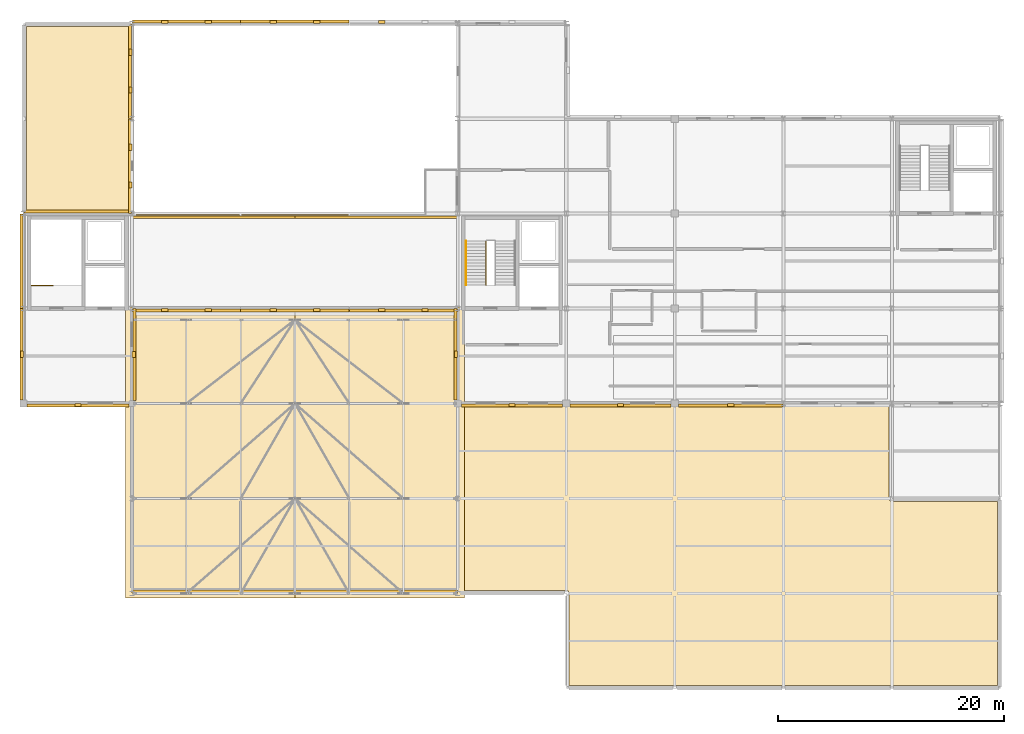
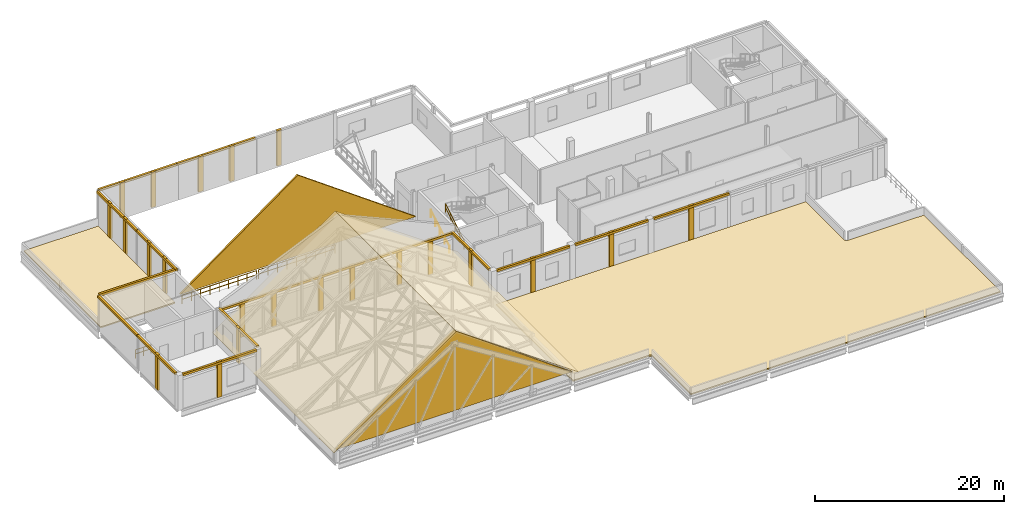
# One storey, part 25 of 26: 44 coverings, 5 railings.
"""IFC4 building model written with IfcOpenShell, lengths in metres."""

from ifc_helpers import new_model, si_unit, direction, frame, origin, origin_2d, place, context, subcontext, project, spatial, polyline, circle, outline, extrude, material, layer, layer_set, type_object, element, save


model = new_model("IFC4")

# Units and contexts
model_context = context("Model", 3, precision=1e-05, world=origin(), true_north=direction((0.0, 1.0)))
body_context = subcontext(model_context, "Body", "Model", "MODEL_VIEW")
ifc_project = project(units=[si_unit("LENGTHUNIT", "METRE"), si_unit("AREAUNIT", "SQUARE_METRE"), si_unit("VOLUMEUNIT", "CUBIC_METRE"), si_unit("PLANEANGLEUNIT", "RADIAN"), si_unit("MASSUNIT", "GRAM", prefix="KILO")], contexts=[model_context])

# Site, building, storey
site_placement = place(None, origin())
site = spatial("IfcSite", under=ifc_project, at=site_placement, CompositionType="ELEMENT")
building_placement = place(site_placement, origin())
building = spatial("IfcBuilding", under=site, at=building_placement, Name="Lornevale Opera House", CompositionType="ELEMENT")
storey_placement = place(building_placement, frame((0.0, 0.0, 19.800048828125)))
storey = spatial("IfcBuildingStorey", under=building, at=storey_placement, Name="L05", CompositionType="ELEMENT", Elevation=19.800048828125)

# Railings
ifc_material_1 = material(Name="Structural Steel CSA G40.21 Grade 350W (350 MPa)", Category="steel")
ifc_layer_1 = layer(ifc_material_1, 0.06005859375)
ifc_layer_set_1 = layer_set([ifc_layer_1], Name="Structural Steel CSA G40.21 Grade 350W (350 MPa)")
railing_type_1 = type_object("IfcRailingType", Name="Atrium Acoustic Balustrade 1120", PredefinedType="BALUSTRADE", material=ifc_layer_set_1)
railing_1_placement = place(storey_placement, frame((67.580078125, 67.06005859375, 0.0)))
element("IfcRailing", 1, at=railing_1_placement, inside=storey, type_object=railing_type_1, Name="Atrium & Bowl Balustrade L05 0385", PredefinedType="BALUSTRADE", context=body_context, shape_type="SweptSolid", body=[
    extrude(circle(Radius=0.02392578125, at=origin_2d()), frame((0.0, 0.0, 1.09619140625), z_axis=(1.0, 0.0, 0.0), x_axis=(0.0, 1.0, 0.0)), (0.0, 0.0, 1.0), 9.099853515625),
    extrude(circle(Radius=0.02392578125, at=origin_2d()), frame((0.0, 0.0, 0.56005859375), z_axis=(1.0, 0.0, 0.0), x_axis=(0.0, 1.0, 0.0)), (0.0, 0.0, 1.0), 9.099853515625),
    extrude(circle(Radius=0.02099609375, at=origin_2d()), origin(), (0.0, 0.0, 1.0), 1.072021484375),
    extrude(circle(Radius=0.02099609375, at=origin_2d()), frame((1.137451171875, 0.0, 0.0)), (0.0, 0.0, 1.0), 1.072021484375),
    extrude(circle(Radius=0.02099609375, at=origin_2d()), frame((2.27490234375, 0.0, 0.0)), (0.0, 0.0, 1.0), 1.072021484375),
    extrude(circle(Radius=0.02099609375, at=origin_2d()), frame((3.412353515625, 0.0, 0.0)), (0.0, 0.0, 1.0), 1.072021484375),
    extrude(circle(Radius=0.02099609375, at=origin_2d()), frame((4.5498046875, 0.0, 0.0)), (0.0, 0.0, 1.0), 1.072021484375),
    extrude(circle(Radius=0.02099609375, at=origin_2d()), frame((5.6875, 0.0, 0.0)), (0.0, 0.0, 1.0), 1.072021484375),
    extrude(circle(Radius=0.02099609375, at=origin_2d()), frame((6.824951171875, 0.0, 0.0)), (0.0, 0.0, 1.0), 1.072021484375),
    extrude(circle(Radius=0.02099609375, at=origin_2d()), frame((7.96240234375, 0.0, 0.0)), (0.0, 0.0, 1.0), 1.072021484375),
    extrude(circle(Radius=0.02099609375, at=origin_2d()), frame((9.099853515625, 0.0, 0.0)), (0.0, 0.0, 1.0), 1.072021484375),
])
railing_2_placement = place(storey_placement, frame((76.919921875, 67.06005859375, 0.0)))
element("IfcRailing", 2, at=railing_2_placement, inside=storey, type_object=railing_type_1, Name="Atrium & Bowl Balustrade L05 0386", PredefinedType="BALUSTRADE", context=body_context, shape_type="SweptSolid", body=[
    extrude(circle(Radius=0.02392578125, at=origin_2d()), frame((0.0, 0.0, 1.09619140625), z_axis=(1.0, 0.0, 0.0), x_axis=(0.0, 1.0, 0.0)), (0.0, 0.0, 1.0), 9.360107421875),
    extrude(circle(Radius=0.02392578125, at=origin_2d()), frame((0.0, 0.0, 0.56005859375), z_axis=(1.0, 0.0, 0.0), x_axis=(0.0, 1.0, 0.0)), (0.0, 0.0, 1.0), 9.360107421875),
    extrude(circle(Radius=0.02099609375, at=origin_2d()), origin(), (0.0, 0.0, 1.0), 1.072021484375),
    extrude(circle(Radius=0.02099609375, at=origin_2d()), frame((1.169921875, 0.0, 0.0)), (0.0, 0.0, 1.0), 1.072021484375),
    extrude(circle(Radius=0.02099609375, at=origin_2d()), frame((2.340087890625, 0.0, 0.0)), (0.0, 0.0, 1.0), 1.072021484375),
    extrude(circle(Radius=0.02099609375, at=origin_2d()), frame((3.510009765625, 0.0, 0.0)), (0.0, 0.0, 1.0), 1.072021484375),
    extrude(circle(Radius=0.02099609375, at=origin_2d()), frame((4.68017578125, 0.0, 0.0)), (0.0, 0.0, 1.0), 1.072021484375),
    extrude(circle(Radius=0.02099609375, at=origin_2d()), frame((5.85009765625, 0.0, 0.0)), (0.0, 0.0, 1.0), 1.072021484375),
    extrude(circle(Radius=0.02099609375, at=origin_2d()), frame((7.02001953125, 0.0, 0.0)), (0.0, 0.0, 1.0), 1.072021484375),
    extrude(circle(Radius=0.02099609375, at=origin_2d()), frame((8.190185546875, 0.0, 0.0)), (0.0, 0.0, 1.0), 1.072021484375),
    extrude(circle(Radius=0.02099609375, at=origin_2d()), frame((9.360107421875, 0.0, 0.0)), (0.0, 0.0, 1.0), 1.072021484375),
])

# Coverings
ifc_material_2 = material(Name="Vegetated Extensive Green Roof Assembly")
ifc_layer_2 = layer(ifc_material_2, 0.159912109375)
ifc_layer_set_2 = layer_set([ifc_layer_2], Name="Vegetated Extensive Green Roof Assembly")
covering_type_1 = type_object("IfcCoveringType", Name="Chapter 492 Green Roof Covering", PredefinedType="ROOFING", material=ifc_layer_set_2)
covering_1_placement = place(storey_placement, origin())
element("IfcCovering", 3, at=covering_1_placement, inside=storey, type_object=covering_type_1, Name="Chapter 492 Green Roof Covering 0569", PredefinedType="ROOFING", context=body_context, shape_type="SweptSolid", body=[
    extrude(outline(polyline([(105.860107421875, 33.60009765625), (105.85888671875, 33.625), (105.85498046875, 33.65087890625), (105.84912109375, 33.675048828125), (105.840087890625, 33.698974609375), (105.8291015625, 33.722900390625), (105.81591796875, 33.743896484375), (105.801025390625, 33.764892578125), (105.783935546875, 33.783935546875), (105.764892578125, 33.801025390625), (105.743896484375, 33.81591796875), (105.722900390625, 33.8291015625), (105.698974609375, 33.840087890625), (105.675048828125, 33.84912109375), (105.65087890625, 33.85498046875), (105.625, 33.85888671875), (105.60009765625, 33.860107421875), (96.260009765625, 33.860107421875), (96.260009765625, 50.139892578125), (134.139892578125, 50.139892578125), (134.139892578125, 42.0), (134.14111328125, 41.97509765625), (134.14501953125, 41.948974609375), (134.15087890625, 41.925048828125), (134.159912109375, 41.90087890625), (134.1708984375, 41.876953125), (134.18408203125, 41.85595703125), (134.198974609375, 41.8349609375), (134.216064453125, 41.81591796875), (134.235107421875, 41.799072265625), (134.256103515625, 41.783935546875), (134.277099609375, 41.77099609375), (134.301025390625, 41.760009765625), (134.324951171875, 41.7509765625), (134.34912109375, 41.7451171875), (134.375, 41.740966796875), (134.39990234375, 41.739990234375), (143.739990234375, 41.739990234375), (143.739990234375, 25.4599609375), (105.860107421875, 25.4599609375), (105.860107421875, 33.60009765625)])), origin(), (0.0, 0.0, 1.0), 0.159912109375),
])
covering_2_placement = place(storey_placement, origin())
element("IfcCovering", 4, at=covering_2_placement, inside=storey, type_object=covering_type_1, Name="Chapter 492 Green Roof Covering 0570", PredefinedType="ROOFING", context=body_context, shape_type="SweptSolid", body=[
    extrude(outline(polyline([(66.93994140625, 67.4599609375), (57.860107421875, 67.4599609375), (57.860107421875, 83.739990234375), (66.93994140625, 83.739990234375), (66.93994140625, 67.4599609375)])), origin(), (0.0, 0.0, 1.0), 0.159912109375),
])
ifc_material_3 = material(Name="Standing-Seam Patinated Copper Roofing", Category="metal")
ifc_layer_3 = layer(ifc_material_3, 0.0400390625)
ifc_layer_set_3 = layer_set([ifc_layer_3], Name="Standing-Seam Patinated Copper Roofing")
covering_type_2 = type_object("IfcCoveringType", Name="Patinated Copper Roof Cladding", PredefinedType="ROOFING", material=ifc_layer_set_3)
for number, where, z_axis, x_axis, name in (
    (5, (66.60009765625, 33.199951171875, 1.5400390625), (-0.573462344363, 0.0, 0.819231920519), (0.819231920519, 0.0, 0.573462344363), "Patinated Copper Roof Cladding 0542"),
    (6, (81.60009765625, 33.199951171875, 12.0400390625), (0.573462344363, 0.0, 0.819231920519), (0.819231920519, 0.0, -0.573462344363), "Patinated Copper Roof Cladding 0543"),
):
    element("IfcCovering", number, at=place(storey_placement, frame(where, z_axis=z_axis, x_axis=x_axis)), inside=storey, type_object=covering_type_2, Name=name, PredefinedType="ROOFING", context=body_context, shape_type="SweptSolid", body=[
        extrude(outline(polyline([(0.0, 0.0), (18.309833423600555, 0.0), (18.309833423600555, 25.75), (0.0, 25.75), (0.0, 0.0)])), origin(), (0.0, 0.0, -1.0), 0.0400390625),
    ])
ifc_material_4 = material(Name="Precast Concrete 40 MPa (CSA A23.1 C-1)", Category="concrete")
ifc_layer_4 = layer(ifc_material_4, 0.260009765625)
ifc_layer_set_4 = layer_set([ifc_layer_4], Name="Precast Concrete 40 MPa (CSA A23.1 C-1)")
covering_type_3 = type_object("IfcCoveringType", Name="Postmodern Sandstone Pilaster Rib", PredefinedType="CLADDING", material=ifc_layer_set_4)
covering_3_placement = place(storey_placement, origin())
element("IfcCovering", 7, at=covering_3_placement, inside=storey, type_object=covering_type_3, Name="Postmodern Sandstone Pilaster 0405", PredefinedType="CLADDING", context=body_context, shape_type="SweptSolid", body=[
    extrude(outline(polyline([(62.69189453125, 50.39990234375), (62.132080078125, 50.39990234375), (62.132080078125, 50.1201171875), (62.69189453125, 50.1201171875), (62.69189453125, 50.39990234375)])), origin(), (0.0, 0.0, 1.0), 4.579833984375),
])
covering_4_placement = place(storey_placement, origin())
element("IfcCovering", 8, at=covering_4_placement, inside=storey, type_object=covering_type_3, Name="Postmodern Sandstone Pilaster 0407", PredefinedType="CLADDING", context=body_context, shape_type="SweptSolid", body=[
    extrude(outline(polyline([(57.60009765625, 54.4599609375), (57.60009765625, 55.02001953125), (57.320068359375, 55.02001953125), (57.320068359375, 54.4599609375), (57.60009765625, 54.4599609375)])), origin(), (0.0, 0.0, 1.0), 4.579833984375),
])
covering_5_placement = place(storey_placement, origin())
element("IfcCovering", 9, at=covering_5_placement, inside=storey, type_object=covering_type_3, Name="Postmodern Sandstone Pilaster 0409", PredefinedType="CLADDING", context=body_context, shape_type="SweptSolid", body=[
    extrude(outline(polyline([(67.199951171875, 55.007080078125), (67.199951171875, 54.447021484375), (67.47998046875, 54.447021484375), (67.47998046875, 55.007080078125), (67.199951171875, 55.007080078125)])), origin(), (0.0, 0.0, 1.0), 4.579833984375),
])
covering_6_placement = place(storey_placement, origin())
element("IfcCovering", 10, at=covering_6_placement, inside=storey, type_object=covering_type_3, Name="Postmodern Sandstone Pilaster 0413", PredefinedType="CLADDING", context=body_context, shape_type="SweptSolid", body=[
    extrude(outline(polyline([(74.201904296875, 58.800048828125), (73.64208984375, 58.800048828125), (73.64208984375, 58.52001953125), (74.201904296875, 58.52001953125), (74.201904296875, 58.800048828125)])), origin(), (0.0, 0.0, 1.0), 4.579833984375),
])
covering_7_placement = place(storey_placement, origin())
element("IfcCovering", 11, at=covering_7_placement, inside=storey, type_object=covering_type_3, Name="Postmodern Sandstone Pilaster 0414", PredefinedType="CLADDING", context=body_context, shape_type="SweptSolid", body=[
    extrude(outline(polyline([(70.373046875, 58.800048828125), (69.81298828125, 58.800048828125), (69.81298828125, 58.52001953125), (70.373046875, 58.52001953125), (70.373046875, 58.800048828125)])), origin(), (0.0, 0.0, 1.0), 4.579833984375),
])
covering_8_placement = place(storey_placement, origin())
element("IfcCovering", 12, at=covering_8_placement, inside=storey, type_object=covering_type_3, Name="Postmodern Sandstone Pilaster 0416", PredefinedType="CLADDING", context=body_context, shape_type="SweptSolid", body=[
    extrude(outline(polyline([(67.199951171875, 69.447998046875), (67.199951171875, 70.008056640625), (66.919921875, 70.008056640625), (66.919921875, 69.447998046875), (67.199951171875, 69.447998046875)])), origin(), (0.0, 0.0, 1.0), 4.579833984375),
])
covering_9_placement = place(storey_placement, origin())
element("IfcCovering", 13, at=covering_9_placement, inside=storey, type_object=covering_type_3, Name="Postmodern Sandstone Pilaster 0417", PredefinedType="CLADDING", context=body_context, shape_type="SweptSolid", body=[
    extrude(outline(polyline([(67.199951171875, 72.7919921875), (67.199951171875, 73.35205078125), (66.919921875, 73.35205078125), (66.919921875, 72.7919921875), (67.199951171875, 72.7919921875)])), origin(), (0.0, 0.0, 1.0), 4.579833984375),
])
covering_10_placement = place(storey_placement, origin())
element("IfcCovering", 14, at=covering_10_placement, inside=storey, type_object=covering_type_3, Name="Postmodern Sandstone Pilaster 0419", PredefinedType="CLADDING", context=body_context, shape_type="SweptSolid", body=[
    extrude(outline(polyline([(69.81298828125, 84.0), (70.373046875, 84.0), (70.373046875, 84.280029296875), (69.81298828125, 84.280029296875), (69.81298828125, 84.0)])), origin(), (0.0, 0.0, 1.0), 4.579833984375),
])
covering_11_placement = place(storey_placement, origin())
element("IfcCovering", 15, at=covering_11_placement, inside=storey, type_object=covering_type_3, Name="Postmodern Sandstone Pilaster 0420", PredefinedType="CLADDING", context=body_context, shape_type="SweptSolid", body=[
    extrude(outline(polyline([(73.64208984375, 84.0), (74.201904296875, 84.0), (74.201904296875, 84.280029296875), (73.64208984375, 84.280029296875), (73.64208984375, 84.0)])), origin(), (0.0, 0.0, 1.0), 4.579833984375),
])
covering_12_placement = place(storey_placement, origin())
element("IfcCovering", 16, at=covering_12_placement, inside=storey, type_object=covering_type_3, Name="Postmodern Sandstone Pilaster 0422", PredefinedType="CLADDING", context=body_context, shape_type="SweptSolid", body=[
    extrude(outline(polyline([(67.199951171875, 77.847900390625), (67.199951171875, 78.407958984375), (66.919921875, 78.407958984375), (66.919921875, 77.847900390625), (67.199951171875, 77.847900390625)])), origin(), (0.0, 0.0, 1.0), 4.579833984375),
])
covering_13_placement = place(storey_placement, origin())
element("IfcCovering", 17, at=covering_13_placement, inside=storey, type_object=covering_type_3, Name="Postmodern Sandstone Pilaster 0423", PredefinedType="CLADDING", context=body_context, shape_type="SweptSolid", body=[
    extrude(outline(polyline([(67.199951171875, 81.19189453125), (67.199951171875, 81.751953125), (66.919921875, 81.751953125), (66.919921875, 81.19189453125), (67.199951171875, 81.19189453125)])), origin(), (0.0, 0.0, 1.0), 4.579833984375),
])
covering_14_placement = place(storey_placement, origin())
element("IfcCovering", 18, at=covering_14_placement, inside=storey, type_object=covering_type_3, Name="Postmodern Sandstone Pilaster 0425", PredefinedType="CLADDING", context=body_context, shape_type="SweptSolid", body=[
    extrude(outline(polyline([(83.798095703125, 58.800048828125), (83.238037109375, 58.800048828125), (83.238037109375, 58.52001953125), (83.798095703125, 58.52001953125), (83.798095703125, 58.800048828125)])), origin(), (0.0, 0.0, 1.0), 4.579833984375),
])
covering_15_placement = place(storey_placement, origin())
element("IfcCovering", 19, at=covering_15_placement, inside=storey, type_object=covering_type_3, Name="Postmodern Sandstone Pilaster 0426", PredefinedType="CLADDING", context=body_context, shape_type="SweptSolid", body=[
    extrude(outline(polyline([(79.9619140625, 58.800048828125), (79.402099609375, 58.800048828125), (79.402099609375, 58.52001953125), (79.9619140625, 58.52001953125), (79.9619140625, 58.800048828125)])), origin(), (0.0, 0.0, 1.0), 4.579833984375),
])
covering_16_placement = place(storey_placement, origin())
element("IfcCovering", 20, at=covering_16_placement, inside=storey, type_object=covering_type_3, Name="Postmodern Sandstone Pilaster 0428", PredefinedType="CLADDING", context=body_context, shape_type="SweptSolid", body=[
    extrude(outline(polyline([(79.402099609375, 84.0), (79.9619140625, 84.0), (79.9619140625, 84.280029296875), (79.402099609375, 84.280029296875), (79.402099609375, 84.0)])), origin(), (0.0, 0.0, 1.0), 4.579833984375),
])
covering_17_placement = place(storey_placement, origin())
element("IfcCovering", 21, at=covering_17_placement, inside=storey, type_object=covering_type_3, Name="Postmodern Sandstone Pilaster 0429", PredefinedType="CLADDING", context=body_context, shape_type="SweptSolid", body=[
    extrude(outline(polyline([(83.238037109375, 84.0), (83.798095703125, 84.0), (83.798095703125, 84.280029296875), (83.238037109375, 84.280029296875), (83.238037109375, 84.0)])), origin(), (0.0, 0.0, 1.0), 4.579833984375),
])
covering_18_placement = place(storey_placement, origin())
element("IfcCovering", 22, at=covering_18_placement, inside=storey, type_object=covering_type_3, Name="Postmodern Sandstone Pilaster 0431", PredefinedType="CLADDING", context=body_context, shape_type="SweptSolid", body=[
    extrude(outline(polyline([(93.387939453125, 58.800048828125), (92.827880859375, 58.800048828125), (92.827880859375, 58.52001953125), (93.387939453125, 58.52001953125), (93.387939453125, 58.800048828125)])), origin(), (0.0, 0.0, 1.0), 4.579833984375),
])
covering_19_placement = place(storey_placement, origin())
element("IfcCovering", 23, at=covering_19_placement, inside=storey, type_object=covering_type_3, Name="Postmodern Sandstone Pilaster 0432", PredefinedType="CLADDING", context=body_context, shape_type="SweptSolid", body=[
    extrude(outline(polyline([(89.55810546875, 58.800048828125), (88.998046875, 58.800048828125), (88.998046875, 58.52001953125), (89.55810546875, 58.52001953125), (89.55810546875, 58.800048828125)])), origin(), (0.0, 0.0, 1.0), 4.579833984375),
])
covering_20_placement = place(storey_placement, origin())
element("IfcCovering", 24, at=covering_20_placement, inside=storey, type_object=covering_type_3, Name="Postmodern Sandstone Pilaster 0434", PredefinedType="CLADDING", context=body_context, shape_type="SweptSolid", body=[
    extrude(outline(polyline([(88.998046875, 84.0), (89.55810546875, 84.0), (89.55810546875, 84.280029296875), (88.998046875, 84.280029296875), (88.998046875, 84.0)])), origin(), (0.0, 0.0, 1.0), 4.579833984375),
])
covering_21_placement = place(storey_placement, origin())
element("IfcCovering", 25, at=covering_21_placement, inside=storey, type_object=covering_type_3, Name="Postmodern Sandstone Pilaster 0437", PredefinedType="CLADDING", context=body_context, shape_type="SweptSolid", body=[
    extrude(outline(polyline([(101.080078125, 50.39990234375), (100.52001953125, 50.39990234375), (100.52001953125, 50.1201171875), (101.080078125, 50.1201171875), (101.080078125, 50.39990234375)])), origin(), (0.0, 0.0, 1.0), 4.579833984375),
])
covering_22_placement = place(storey_placement, origin())
element("IfcCovering", 26, at=covering_22_placement, inside=storey, type_object=covering_type_3, Name="Postmodern Sandstone Pilaster 0439", PredefinedType="CLADDING", context=body_context, shape_type="SweptSolid", body=[
    extrude(outline(polyline([(96.0, 54.471923828125), (96.0, 55.031982421875), (95.719970703125, 55.031982421875), (95.719970703125, 54.471923828125), (96.0, 54.471923828125)])), origin(), (0.0, 0.0, 1.0), 4.579833984375),
])
covering_23_placement = place(storey_placement, origin())
element("IfcCovering", 27, at=covering_23_placement, inside=storey, type_object=covering_type_3, Name="Postmodern Sandstone Pilaster 0445", PredefinedType="CLADDING", context=body_context, shape_type="SweptSolid", body=[
    extrude(outline(polyline([(110.679931640625, 50.39990234375), (110.1201171875, 50.39990234375), (110.1201171875, 50.1201171875), (110.679931640625, 50.1201171875), (110.679931640625, 50.39990234375)])), origin(), (0.0, 0.0, 1.0), 4.579833984375),
])
covering_24_placement = place(storey_placement, origin())
element("IfcCovering", 28, at=covering_24_placement, inside=storey, type_object=covering_type_3, Name="Postmodern Sandstone Pilaster 0449", PredefinedType="CLADDING", context=body_context, shape_type="SweptSolid", body=[
    extrude(outline(polyline([(120.43310546875, 50.39990234375), (119.873046875, 50.39990234375), (119.873046875, 50.1201171875), (120.43310546875, 50.1201171875), (120.43310546875, 50.39990234375)])), origin(), (0.0, 0.0, 1.0), 4.579833984375),
])
ifc_material_5 = material(Name="Queenston Buff Limestone Ashlar Masonry (25 MPa)", Category="masonry")
ifc_layer_5 = layer(ifc_material_5, 0.1201171875)
ifc_layer_set_5 = layer_set([ifc_layer_5], Name="Queenston Buff Limestone Ashlar Masonry (25 MPa)")
covering_type_4 = type_object("IfcCoveringType", Name="Precast Limestone Cornice Band", PredefinedType="CLADDING", material=ifc_layer_set_5)
covering_25_placement = place(storey_placement, frame((0.0, 0.0, 4.300048828125)))
element("IfcCovering", 29, at=covering_25_placement, inside=storey, type_object=covering_type_4, Name="Precast Limestone Cornice Band 0406", PredefinedType="CLADDING", context=body_context, shape_type="SweptSolid", body=[
    extrude(outline(polyline([(66.925048828125, 50.340087890625), (57.89990234375, 50.340087890625), (57.89990234375, 50.080078125), (66.925048828125, 50.080078125), (66.925048828125, 50.340087890625)])), origin(), (0.0, 0.0, 1.0), 0.27978515625),
])
covering_26_placement = place(storey_placement, frame((0.0, 0.0, 4.300048828125)))
element("IfcCovering", 30, at=covering_26_placement, inside=storey, type_object=covering_type_4, Name="Precast Limestone Cornice Band 0408", PredefinedType="CLADDING", context=body_context, shape_type="SweptSolid", body=[
    extrude(outline(polyline([(57.5400390625, 50.699951171875), (57.5400390625, 58.780029296875), (57.280029296875, 58.780029296875), (57.280029296875, 50.699951171875), (57.5400390625, 50.699951171875)])), origin(), (0.0, 0.0, 1.0), 0.27978515625),
])
covering_27_placement = place(storey_placement, frame((0.0, 0.0, 4.300048828125)))
element("IfcCovering", 31, at=covering_27_placement, inside=storey, type_object=covering_type_4, Name="Precast Limestone Cornice Band 0410", PredefinedType="CLADDING", context=body_context, shape_type="SweptSolid", body=[
    extrude(outline(polyline([(67.260009765625, 58.780029296875), (67.260009765625, 50.675048828125), (67.52001953125, 50.675048828125), (67.52001953125, 58.780029296875), (67.260009765625, 58.780029296875)])), origin(), (0.0, 0.0, 1.0), 0.27978515625),
])
covering_28_placement = place(storey_placement, frame((0.0, 0.0, 4.300048828125)))
element("IfcCovering", 32, at=covering_28_placement, inside=storey, type_object=covering_type_4, Name="Precast Limestone Cornice Band 0411", PredefinedType="CLADDING", context=body_context, shape_type="SweptSolid", body=[
    extrude(outline(polyline([(57.6201171875, 67.260009765625), (67.179931640625, 67.260009765625), (67.179931640625, 67.52001953125), (57.6201171875, 67.52001953125), (57.6201171875, 67.260009765625)])), origin(), (0.0, 0.0, 1.0), 0.27978515625),
])
covering_29_placement = place(storey_placement, frame((0.0, 0.0, 4.300048828125)))
element("IfcCovering", 33, at=covering_29_placement, inside=storey, type_object=covering_type_4, Name="Precast Limestone Cornice Band 0412", PredefinedType="CLADDING", context=body_context, shape_type="SweptSolid", body=[
    extrude(outline(polyline([(57.5400390625, 58.820068359375), (57.5400390625, 67.179931640625), (57.280029296875, 67.179931640625), (57.280029296875, 58.820068359375), (57.5400390625, 58.820068359375)])), origin(), (0.0, 0.0, 1.0), 0.27978515625),
])
covering_30_placement = place(storey_placement, frame((0.0, 0.0, 4.300048828125)))
element("IfcCovering", 34, at=covering_30_placement, inside=storey, type_object=covering_type_4, Name="Precast Limestone Cornice Band 0415", PredefinedType="CLADDING", context=body_context, shape_type="SweptSolid", body=[
    extrude(outline(polyline([(76.794921875, 58.739990234375), (67.219970703125, 58.739990234375), (67.219970703125, 58.47998046875), (76.794921875, 58.47998046875), (76.794921875, 58.739990234375)])), origin(), (0.0, 0.0, 1.0), 0.27978515625),
])
covering_31_placement = place(storey_placement, frame((0.0, 0.0, 4.300048828125)))
element("IfcCovering", 35, at=covering_31_placement, inside=storey, type_object=covering_type_4, Name="Precast Limestone Cornice Band 0418", PredefinedType="CLADDING", context=body_context, shape_type="SweptSolid", body=[
    extrude(outline(polyline([(67.139892578125, 67.219970703125), (67.139892578125, 75.580078125), (66.8798828125, 75.580078125), (66.8798828125, 67.219970703125), (67.139892578125, 67.219970703125)])), origin(), (0.0, 0.0, 1.0), 0.27978515625),
])
covering_32_placement = place(storey_placement, frame((0.0, 0.0, 4.300048828125)))
element("IfcCovering", 36, at=covering_32_placement, inside=storey, type_object=covering_type_4, Name="Precast Limestone Cornice Band 0421", PredefinedType="CLADDING", context=body_context, shape_type="SweptSolid", body=[
    extrude(outline(polyline([(67.219970703125, 84.06005859375), (76.794921875, 84.06005859375), (76.794921875, 84.320068359375), (67.219970703125, 84.320068359375), (67.219970703125, 84.06005859375)])), origin(), (0.0, 0.0, 1.0), 0.27978515625),
])
covering_33_placement = place(storey_placement, frame((0.0, 0.0, 4.300048828125)))
element("IfcCovering", 37, at=covering_33_placement, inside=storey, type_object=covering_type_4, Name="Precast Limestone Cornice Band 0424", PredefinedType="CLADDING", context=body_context, shape_type="SweptSolid", body=[
    extrude(outline(polyline([(67.139892578125, 75.6201171875), (67.139892578125, 83.97998046875), (66.8798828125, 83.97998046875), (66.8798828125, 75.6201171875), (67.139892578125, 75.6201171875)])), origin(), (0.0, 0.0, 1.0), 0.27978515625),
])
covering_34_placement = place(storey_placement, frame((0.0, 0.0, 4.300048828125)))
element("IfcCovering", 38, at=covering_34_placement, inside=storey, type_object=covering_type_4, Name="Precast Limestone Cornice Band 0427", PredefinedType="CLADDING", context=body_context, shape_type="SweptSolid", body=[
    extrude(outline(polyline([(86.39501953125, 58.739990234375), (76.804931640625, 58.739990234375), (76.804931640625, 58.47998046875), (86.39501953125, 58.47998046875), (86.39501953125, 58.739990234375)])), origin(), (0.0, 0.0, 1.0), 0.27978515625),
])
covering_35_placement = place(storey_placement, frame((0.0, 0.0, 4.300048828125)))
element("IfcCovering", 39, at=covering_35_placement, inside=storey, type_object=covering_type_4, Name="Precast Limestone Cornice Band 0430", PredefinedType="CLADDING", context=body_context, shape_type="SweptSolid", body=[
    extrude(outline(polyline([(76.804931640625, 84.06005859375), (86.39501953125, 84.06005859375), (86.39501953125, 84.320068359375), (76.804931640625, 84.320068359375), (76.804931640625, 84.06005859375)])), origin(), (0.0, 0.0, 1.0), 0.27978515625),
])
covering_36_placement = place(storey_placement, frame((0.0, 0.0, 4.300048828125)))
element("IfcCovering", 40, at=covering_36_placement, inside=storey, type_object=covering_type_4, Name="Precast Limestone Cornice Band 0433", PredefinedType="CLADDING", context=body_context, shape_type="SweptSolid", body=[
    extrude(outline(polyline([(95.97998046875, 58.739990234375), (86.405029296875, 58.739990234375), (86.405029296875, 58.47998046875), (95.97998046875, 58.47998046875), (95.97998046875, 58.739990234375)])), origin(), (0.0, 0.0, 1.0), 0.27978515625),
])
covering_37_placement = place(storey_placement, frame((0.0, 0.0, 4.300048828125)))
element("IfcCovering", 41, at=covering_37_placement, inside=storey, type_object=covering_type_4, Name="Precast Limestone Cornice Band 0438", PredefinedType="CLADDING", context=body_context, shape_type="SweptSolid", body=[
    extrude(outline(polyline([(105.27490234375, 50.340087890625), (96.324951171875, 50.340087890625), (96.324951171875, 50.080078125), (105.27490234375, 50.080078125), (105.27490234375, 50.340087890625)])), origin(), (0.0, 0.0, 1.0), 0.27978515625),
])
covering_38_placement = place(storey_placement, frame((0.0, 0.0, 4.300048828125)))
element("IfcCovering", 42, at=covering_38_placement, inside=storey, type_object=covering_type_4, Name="Precast Limestone Cornice Band 0440", PredefinedType="CLADDING", context=body_context, shape_type="SweptSolid", body=[
    extrude(outline(polyline([(95.93994140625, 50.72509765625), (95.93994140625, 58.780029296875), (95.679931640625, 58.780029296875), (95.679931640625, 50.72509765625), (95.93994140625, 50.72509765625)])), origin(), (0.0, 0.0, 1.0), 0.27978515625),
])
covering_39_placement = place(storey_placement, frame((0.0, 0.0, 4.300048828125)))
element("IfcCovering", 43, at=covering_39_placement, inside=storey, type_object=covering_type_4, Name="Precast Limestone Cornice Band 0446", PredefinedType="CLADDING", context=body_context, shape_type="SweptSolid", body=[
    extrude(outline(polyline([(114.875, 50.340087890625), (105.925048828125, 50.340087890625), (105.925048828125, 50.080078125), (114.875, 50.080078125), (114.875, 50.340087890625)])), origin(), (0.0, 0.0, 1.0), 0.27978515625),
])
covering_40_placement = place(storey_placement, frame((0.0, 0.0, 4.300048828125)))
element("IfcCovering", 44, at=covering_40_placement, inside=storey, type_object=covering_type_4, Name="Precast Limestone Cornice Band 0450", PredefinedType="CLADDING", context=body_context, shape_type="SweptSolid", body=[
    extrude(outline(polyline([(124.780029296875, 50.340087890625), (115.52490234375, 50.340087890625), (115.52490234375, 50.080078125), (124.780029296875, 50.080078125), (124.780029296875, 50.340087890625)])), origin(), (0.0, 0.0, 1.0), 0.27978515625),
])
for number, where, z_axis, x_axis, name in (
    (45, (67.199951171875, 33.889892578125, 1.5), (0.0, 1.0, 0.0), (0.810684664782, 0.0, 0.585483026472), "Auditorium Gable Tympanum 0544"),
    (46, (67.199951171875, 67.0, 1.5), (0.0, 1.0, 0.0), (0.810684664782, 0.0, 0.585483026472), "Auditorium Gable Tympanum 0545"),
):
    element("IfcCovering", number, at=place(storey_placement, frame(where, z_axis=z_axis, x_axis=x_axis)), inside=storey, type_object=covering_type_4, Name=name, PredefinedType="CLADDING", context=body_context, shape_type="SweptSolid", body=[
        extrude(outline(polyline([(0.0, 0.0), (17.762944224733534, 0.0), (23.34775792994272, 16.86193975043148), (0.0, 0.0)])), origin(), (0.0, 0.0, -1.0), 0.239990234375),
    ])

# Railings
ifc_layer_6 = layer(ifc_material_1, 0.050048828125)
ifc_layer_set_6 = layer_set([ifc_layer_6], Name="Structural Steel CSA G40.21 Grade 350W (350 MPa)")
railing_type_2 = type_object("IfcRailingType", Name="Stair Well Guardrail 1100", PredefinedType="GUARDRAIL", material=ifc_layer_set_6)
railing_3_placement = place(storey_placement, frame((58.300048828125, 60.820068359375, 0.0)))
element("IfcRailing", 47, at=railing_3_placement, inside=storey, type_object=railing_type_2, Name="ST-19 Top Floor Well Guard", PredefinedType="GUARDRAIL", context=body_context, shape_type="SweptSolid", body=[
    extrude(circle(Radius=0.02392578125, at=origin_2d()), frame((0.0, 0.0, 1.076171875), z_axis=(1.0, 0.0, 0.0), x_axis=(0.0, 1.0, 0.0)), (0.0, 0.0, 1.0), 1.8798828125),
    extrude(circle(Radius=0.02392578125, at=origin_2d()), frame((0.0, 0.0, 0.550048828125), z_axis=(1.0, 0.0, 0.0), x_axis=(0.0, 1.0, 0.0)), (0.0, 0.0, 1.0), 1.8798828125),
    extrude(circle(Radius=0.02099609375, at=origin_2d()), origin(), (0.0, 0.0, 1.0), 1.052001953125),
    extrude(circle(Radius=0.02099609375, at=origin_2d()), frame((0.93994140625, 0.0, 0.0)), (0.0, 0.0, 1.0), 1.052001953125),
    extrude(circle(Radius=0.02099609375, at=origin_2d()), frame((1.8798828125, 0.0, 0.0)), (0.0, 0.0, 1.0), 1.052001953125),
])
railing_4_placement = place(storey_placement, frame((98.52001953125, 60.860107421875, 0.0)))
element("IfcRailing", 48, at=railing_4_placement, inside=storey, type_object=railing_type_2, Name="ST-26 Inner Well Guard F1", PredefinedType="GUARDRAIL", context=body_context, shape_type="SweptSolid", body=[
    extrude(circle(Radius=0.02392578125, at=origin_2d()), frame((0.0, 0.0, 1.076171875), z_axis=(0.0, 0.852856131449, 0.522145974847), x_axis=(-1.0, 0.0, 0.0)), (0.0, 0.0, 1.0), 4.59619140625),
    extrude(circle(Radius=0.02392578125, at=origin_2d()), frame((0.0, 0.0, 0.550048828125), z_axis=(0.0, 0.852856131449, 0.522145974847), x_axis=(-1.0, 0.0, 0.0)), (0.0, 0.0, 1.0), 4.59619140625),
    extrude(circle(Radius=0.02099609375, at=origin_2d()), origin(), (0.0, 0.0, 1.0), 1.052001953125),
    extrude(circle(Radius=0.02099609375, at=origin_2d()), frame((0.0, 0.97998046875, 0.60009765625)), (0.0, 0.0, 1.0), 1.052001953125),
    extrude(circle(Radius=0.02099609375, at=origin_2d()), frame((0.0, 1.9599609375, 1.199951171875)), (0.0, 0.0, 1.0), 1.052001953125),
    extrude(circle(Radius=0.02099609375, at=origin_2d()), frame((0.0, 2.93994140625, 1.7998046875)), (0.0, 0.0, 1.0), 1.052001953125),
    extrude(circle(Radius=0.02099609375, at=origin_2d()), frame((0.0, 3.919921875, 2.39990234375)), (0.0, 0.0, 1.0), 1.052001953125),
])
ifc_layer_7 = layer(ifc_material_1, 0.048095703125)
ifc_layer_set_7 = layer_set([ifc_layer_7], Name="Structural Steel CSA G40.21 Grade 350W (350 MPa)")
railing_type_3 = type_object("IfcRailingType", Name="Tubular Stair Handrail 915", PredefinedType="HANDRAIL", material=ifc_layer_set_7)
railing_5_placement = place(storey_placement, frame((96.719970703125, 60.860107421875, 0.162841796875)))
element("IfcRailing", 49, at=railing_5_placement, inside=storey, type_object=railing_type_3, Name="ST-26 Outer Handrail F1", PredefinedType="HANDRAIL", context=body_context, shape_type="SweptSolid", body=[
    extrude(circle(Radius=0.02392578125, at=origin_2d()), frame((0.0, 0.0, 0.89111328125), z_axis=(0.0, 0.868239814368, 0.496144761885), x_axis=(-1.0, 0.0, 0.0)), (0.0, 0.0, 1.0), 4.514892578125),
    extrude(circle(Radius=0.02099609375, at=origin_2d()), origin(), (0.0, 0.0, 1.0), 0.866943359375),
    extrude(circle(Radius=0.02099609375, at=origin_2d()), frame((0.0, 0.97998046875, 0.56005859375)), (0.0, 0.0, 1.0), 0.866943359375),
    extrude(circle(Radius=0.02099609375, at=origin_2d()), frame((0.0, 1.9599609375, 1.1201171875)), (0.0, 0.0, 1.0), 0.866943359375),
    extrude(circle(Radius=0.02099609375, at=origin_2d()), frame((0.0, 2.93994140625, 1.679931640625)), (0.0, 0.0, 1.0), 0.866943359375),
    extrude(circle(Radius=0.02099609375, at=origin_2d()), frame((0.0, 3.919921875, 2.239990234375)), (0.0, 0.0, 1.0), 0.866943359375),
])

save(model, "model.ifc")
